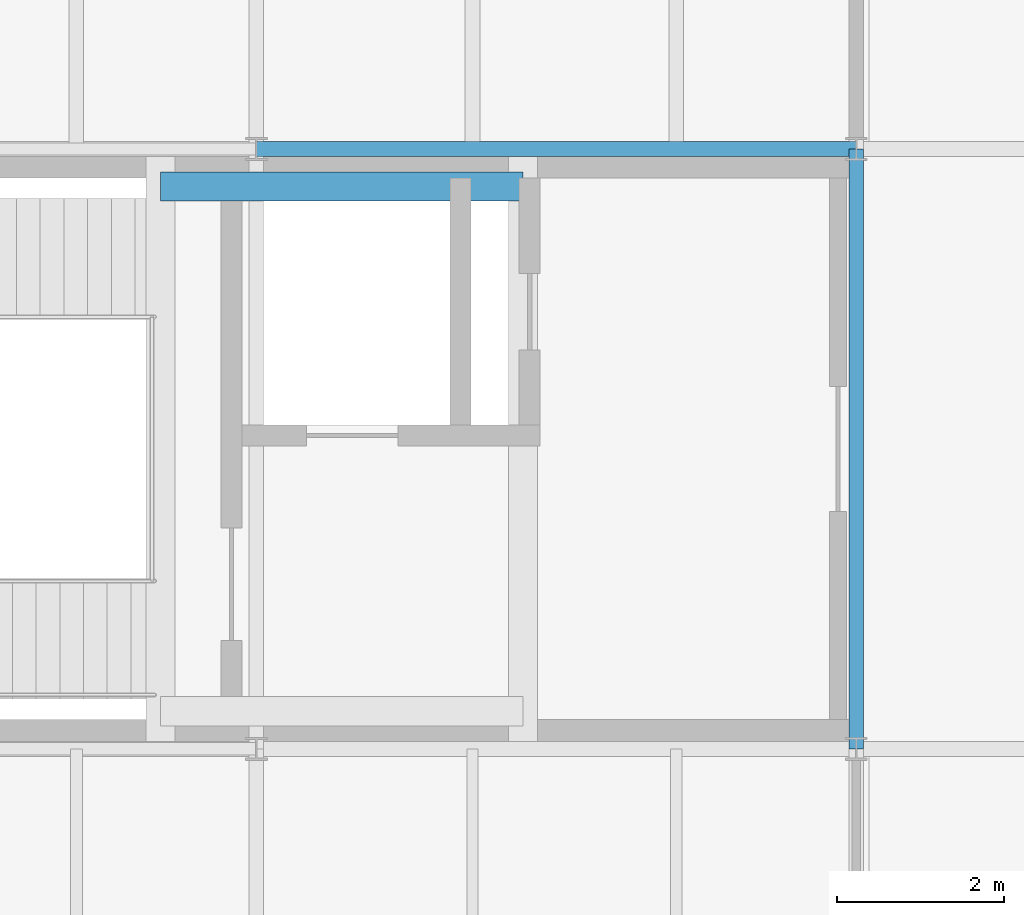
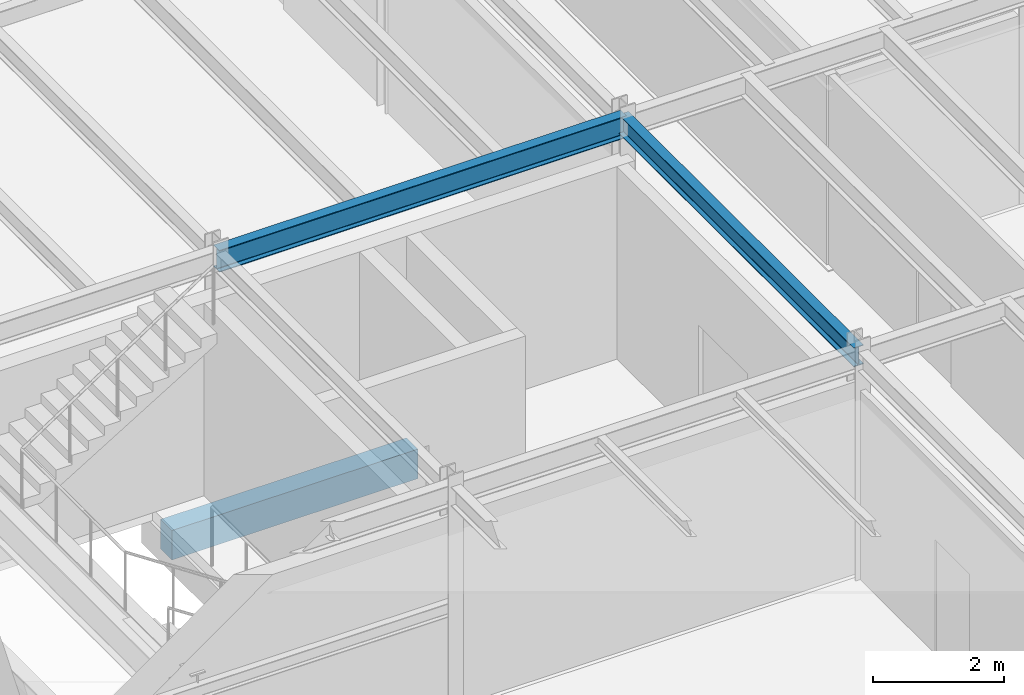
# One storey, part 20 of 101: 3 beams.
"""IFC4 building model written with IfcOpenShell, lengths in metres."""

from ifc_helpers import new_model, si_unit, direction, frame, origin, origin_2d, place, context, subcontext, project, spatial, rectangle, i_section, extrude, material, material_profile, profile_set, type_object, element, save


model = new_model("IFC4")

# Units and contexts
model_context = context("Model", 3, precision=1e-05, world=origin(), true_north=direction((0.0, 1.0)))
body_context = subcontext(model_context, "Body", "Model", "MODEL_VIEW")
ifc_project = project(units=[si_unit("LENGTHUNIT", "METRE"), si_unit("AREAUNIT", "SQUARE_METRE"), si_unit("VOLUMEUNIT", "CUBIC_METRE"), si_unit("PLANEANGLEUNIT", "RADIAN"), si_unit("MASSUNIT", "GRAM", prefix="KILO")], contexts=[model_context])

# Site, building, storey
site_placement = place(None, origin())
site = spatial("IfcSite", under=ifc_project, at=site_placement, CompositionType="ELEMENT")
building_placement = place(site_placement, origin())
building = spatial("IfcBuilding", under=site, at=building_placement, Name="Kemerveld Promenade Tramway Depot", CompositionType="ELEMENT")
storey_placement = place(building_placement, frame((0.0, 0.0, 9.89990234375)))
storey = spatial("IfcBuildingStorey", under=building, at=storey_placement, Name="L02", CompositionType="ELEMENT", Elevation=9.89990234375)

# Beams
ifc_material_1 = material(Name="Steel S355", Category="steel")
ifc_material_profile_1 = material_profile(ifc_material_1, i_section(OverallWidth=0.1787109375, OverallDepth=0.409423828125, WebThickness=0.0087890625, FlangeThickness=0.014404296875, FilletRadius=0.01025390625, at=origin_2d()), Name="406x178x67 UB")
ifc_profile_set_1 = profile_set([ifc_material_profile_1], Name="Steel S355")
beam_type_1 = type_object("IfcBeamType", Name="BM-G07", PredefinedType="BEAM", material=ifc_profile_set_1)
beam_1_placement = place(storey_placement, frame((7.199951171875, 21.60009765625, 4.075439453125), z_axis=(1.0, 0.0, 0.0), x_axis=(0.0, 1.0, 0.0)))
element("IfcBeam", 1, at=beam_1_placement, inside=storey, type_object=beam_type_1, Name="BMX-L02-02-03-D", PredefinedType="BEAM", context=body_context, shape_type="SweptSolid", body=[
    extrude(i_section(OverallWidth=0.1787109375, OverallDepth=0.409423828125, WebThickness=0.0087890625, FlangeThickness=0.014404296875, FilletRadius=0.01025390625, at=origin_2d()), origin(), (0.0, 0.0, 1.0), 7.199951171875),
])
ifc_material_profile_2 = material_profile(ifc_material_1, i_section(OverallWidth=0.172119140625, OverallDepth=0.35791015625, WebThickness=0.008056640625, FlangeThickness=0.012939453125, FilletRadius=0.01025390625, at=origin_2d()), Name="356x171x57 UB")
ifc_profile_set_2 = profile_set([ifc_material_profile_2], Name="Steel S355")
beam_type_2 = type_object("IfcBeamType", Name="BM-G08", PredefinedType="BEAM", material=ifc_profile_set_2)
beam_2_placement = place(storey_placement, frame((14.39990234375, 14.39990234375, 4.10107421875), z_axis=(0.0, 1.0, 0.0), x_axis=(-1.0, 0.0, 0.0)))
element("IfcBeam", 2, at=beam_2_placement, inside=storey, type_object=beam_type_2, Name="BMY-L02-03-C-D", PredefinedType="BEAM", context=body_context, shape_type="SweptSolid", body=[
    extrude(i_section(OverallWidth=0.172119140625, OverallDepth=0.35791015625, WebThickness=0.008056640625, FlangeThickness=0.012939453125, FilletRadius=0.01025390625, at=origin_2d()), origin(), (0.0, 0.0, 1.0), 7.2001953125),
])
ifc_material_2 = material(Name="Concrete C40/50", Category="concrete")
ifc_material_profile_3 = material_profile(ifc_material_2, rectangle(XDim=0.35009765625, YDim=0.550048828125, at=origin_2d()), Name="RC-BM-350x550")
ifc_profile_set_3 = profile_set([ifc_material_profile_3], Name="Concrete C40/50")
beam_type_3 = type_object("IfcBeamType", Name="BM-RC3", PredefinedType="BEAM", material=ifc_profile_set_3)
beam_3_placement = place(storey_placement, frame((6.050048828125, 21.14990234375, -0.5048828125), z_axis=(1.0, 0.0, 0.0), x_axis=(0.0, 1.0, 0.0)))
element("IfcBeam", 3, at=beam_3_placement, inside=storey, type_object=beam_type_3, Name="BM-COREX-C1-L02-N", PredefinedType="BEAM", context=body_context, shape_type="SweptSolid", body=[
    extrude(rectangle(XDim=0.35009765625, YDim=0.550048828125, at=origin_2d()), origin(), (0.0, 0.0, 1.0), 4.349853515625),
])

save(model, "model.ifc")
